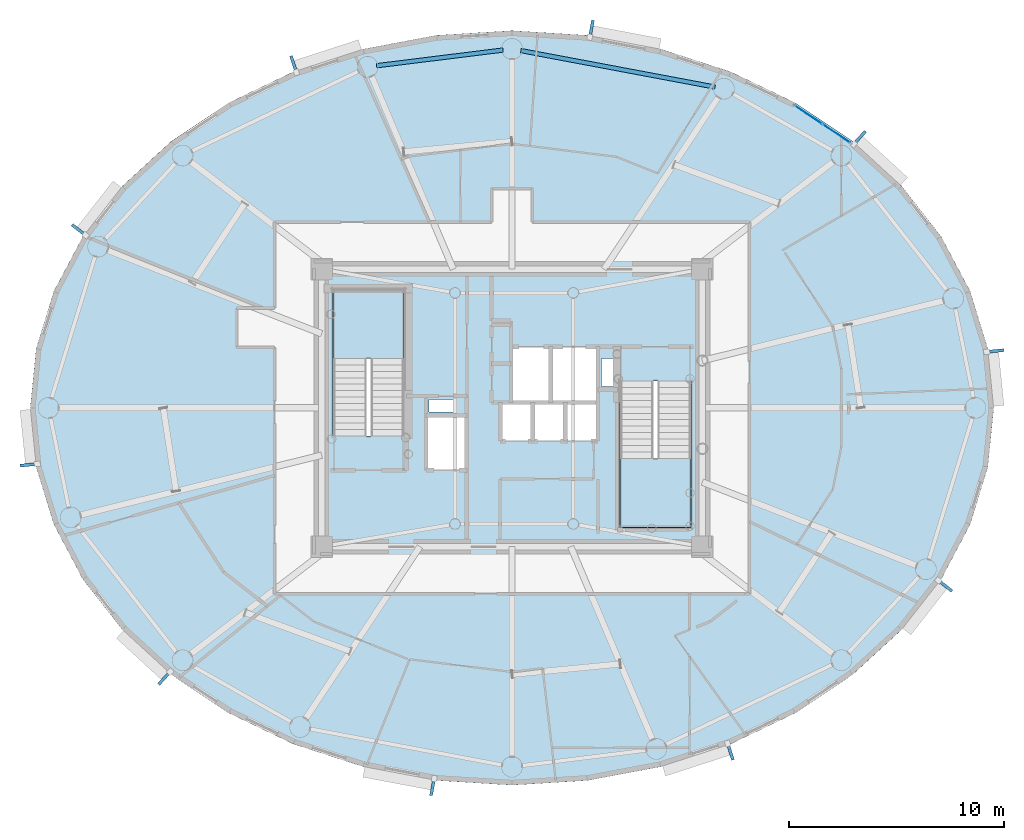
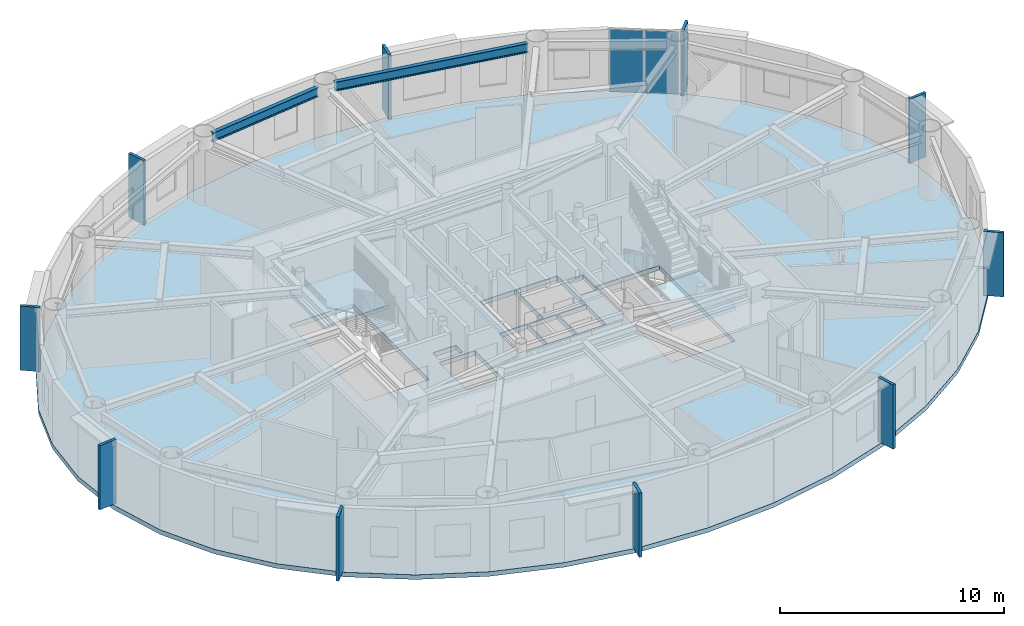
# One storey, part 4 of 16: 12 plates, 3 slabs, 2 beams, 3 elements without a shape of their own.
"""IFC4 building model written with IfcOpenShell, lengths in metres."""

from ifc_helpers import new_model, si_unit, direction, frame, origin, origin_2d, place, context, subcontext, project, spatial, polyline, rectangle, i_section, outline, extrude, source, transform, mapped, material, layer, layer_set, material_profile, profile_set, type_object, element, aggregate, save


model = new_model("IFC4")

# Units and contexts
model_context = context("Model", 3, precision=1e-05, world=origin(), true_north=direction((0.0, 1.0)))
body_context = subcontext(model_context, "Body", "Model", "MODEL_VIEW")
ifc_project = project(units=[si_unit("LENGTHUNIT", "METRE"), si_unit("AREAUNIT", "SQUARE_METRE"), si_unit("VOLUMEUNIT", "CUBIC_METRE"), si_unit("PLANEANGLEUNIT", "RADIAN"), si_unit("MASSUNIT", "GRAM", prefix="KILO")], contexts=[model_context])

# Site, building, storey
site_placement = place(None, origin())
site = spatial("IfcSite", under=ifc_project, at=site_placement, CompositionType="ELEMENT")
building_placement = place(site_placement, origin())
building = spatial("IfcBuilding", under=site, at=building_placement, Name="Linh Dai School and Residence Tower", CompositionType="ELEMENT")
storey_placement = place(building_placement, frame((0.0, 0.0, 306.75)))
storey = spatial("IfcBuildingStorey", under=building, at=storey_placement, Name="L76", CompositionType="ELEMENT", Elevation=306.75)

# Beams
ifc_material_1 = material(Name="Structural Steel S355JR", Category="steel")
ifc_material_profile = material_profile(ifc_material_1, i_section(OverallWidth=0.199951171875, OverallDepth=0.5, WebThickness=0.01025390625, FlangeThickness=0.01611328125, FilletRadius=0.02099609375, at=origin_2d()), Name="IPE 500")
ifc_profile_set = profile_set([ifc_material_profile], Name="Structural Steel S355JR")
beam_type = type_object("IfcBeamType", Name="BM-RB50", PredefinedType="BEAM", material=ifc_profile_set)
beam_1_placement = place(storey_placement, frame((45.441650390625, 41.916259765625, 3.25), z_axis=(-0.982805333306, 0.184644731378, 0.0), x_axis=(-0.184644731378, -0.982805333306, 0.0)))
element("IfcBeam", 1, at=beam_1_placement, inside=storey, type_object=beam_type, Name="L76 Perimeter Elliptical Ring Beam 04", PredefinedType="BEAM", context=body_context, shape_type="SweptSolid", body=[
    extrude(i_section(OverallWidth=0.199951171875, OverallDepth=0.5, WebThickness=0.01025390625, FlangeThickness=0.01611328125, FilletRadius=0.02099609375, at=origin_2d()), origin(), (0.0, 0.0, 1.0), 9.186767578125),
])
beam_2_placement = place(storey_placement, frame((35.583251953125, 43.638427734375, 3.25), z_axis=(-0.992399134443, -0.123060789678, 0.0), x_axis=(0.123060789678, -0.992399134443, 0.0)))
element("IfcBeam", 2, at=beam_2_placement, inside=storey, type_object=beam_type, Name="L76 Perimeter Elliptical Ring Beam 05", PredefinedType="BEAM", context=body_context, shape_type="SweptSolid", body=[
    extrude(i_section(OverallWidth=0.199951171875, OverallDepth=0.5, WebThickness=0.01025390625, FlangeThickness=0.01611328125, FilletRadius=0.02099609375, at=origin_2d()), origin(), (0.0, 0.0, 1.0), 5.923828125),
])

# Slab
ifc_material_2 = material(Name="Concrete B45 (C35/45)", Category="concrete")
ifc_layer_1 = layer(ifc_material_2, 0.25)
ifc_layer_set_1 = layer_set([ifc_layer_1], Name="Concrete B45 (C35/45)")
slab_type_1 = type_object("IfcSlabType", Name="SLB-FLR250", PredefinedType="FLOOR", material=ifc_layer_set_1)
slab_1_placement = place(storey_placement, frame((0.0, 0.0, -0.25)))
element("IfcSlab", 3, at=slab_1_placement, inside=storey, type_object=slab_type_1, Name="L76 Composite Structural Floor Slab", PredefinedType="FLOOR", context=body_context, shape_type="SweptSolid", body=[
    extrude(outline(polyline([(58.39990234375, 27.0), (58.124267578125, 29.743896484375), (57.3037109375, 32.420166015625), (55.95849609375, 34.962890625), (54.1220703125, 37.309814453125), (51.839111328125, 39.402587890625), (49.16650390625, 41.190185546875), (46.16943359375, 42.628173828125), (42.921875, 43.681640625), (39.504150390625, 44.323974609375), (36.0, 44.5400390625), (32.495849609375, 44.323974609375), (29.078125, 43.681640625), (25.83056640625, 42.628173828125), (22.83349609375, 41.190185546875), (20.160888671875, 39.402587890625), (17.8779296875, 37.309814453125), (16.04150390625, 34.962890625), (14.6962890625, 32.420166015625), (13.875732421875, 29.743896484375), (13.60009765625, 27.0), (13.875732421875, 24.256103515625), (14.6962890625, 21.579833984375), (16.04150390625, 19.037109375), (17.8779296875, 16.690185546875), (20.160888671875, 14.597412109375), (22.83349609375, 12.809814453125), (25.83056640625, 11.371826171875), (29.078125, 10.318359375), (32.495849609375, 9.676025390625), (36.0, 9.4599609375), (39.504150390625, 9.676025390625), (42.921875, 10.318359375), (46.16943359375, 11.371826171875), (49.16650390625, 12.809814453125), (51.839111328125, 14.597412109375), (54.1220703125, 16.690185546875), (55.95849609375, 19.037109375), (57.3037109375, 21.579833984375), (58.124267578125, 24.256103515625), (58.39990234375, 27.0)]), holes=[polyline([(30.97998046875, 25.699951171875), (30.97998046875, 32.5), (27.679931640625, 32.5), (27.679931640625, 25.699951171875), (30.97998046875, 25.699951171875)]), polyline([(41.02001953125, 28.25), (41.02001953125, 21.449951171875), (44.320068359375, 21.449951171875), (44.320068359375, 28.25), (41.02001953125, 28.25)]), polyline([(35.97998046875, 27.280029296875), (37.77001953125, 27.280029296875), (37.77001953125, 29.820068359375), (35.97998046875, 29.820068359375), (35.97998046875, 27.280029296875)]), polyline([(32.030029296875, 24.1298828125), (33.8701171875, 24.1298828125), (33.8701171875, 26.6201171875), (32.030029296875, 26.6201171875), (32.030029296875, 24.1298828125)]), polyline([(37.830078125, 27.280029296875), (39.969970703125, 27.280029296875), (39.969970703125, 29.820068359375), (37.830078125, 29.820068359375), (37.830078125, 27.280029296875)]), polyline([(35.47998046875, 25.47998046875), (36.929931640625, 25.47998046875), (36.929931640625, 27.219970703125), (35.47998046875, 27.219970703125), (35.47998046875, 25.47998046875)]), polyline([(36.989990234375, 25.47998046875), (38.449951171875, 25.47998046875), (38.449951171875, 27.219970703125), (36.989990234375, 27.219970703125), (36.989990234375, 25.47998046875)]), polyline([(38.510009765625, 25.47998046875), (39.969970703125, 25.47998046875), (39.969970703125, 27.219970703125), (38.510009765625, 27.219970703125), (38.510009765625, 25.47998046875)]), polyline([(40.14990234375, 28.0), (40.14990234375, 29.300048828125), (41.0, 29.300048828125), (41.0, 28.280029296875), (40.989990234375, 28.280029296875), (40.989990234375, 28.0), (40.14990234375, 28.0)]), polyline([(32.14990234375, 26.800048828125), (33.35009765625, 26.800048828125), (33.35009765625, 27.39990234375), (32.14990234375, 27.39990234375), (32.14990234375, 26.800048828125)])]), origin(), (0.0, 0.0, 1.0), 0.25),
])

# Stair, slab
stair_type = type_object("IfcStairType", Name="ST-DOG-1550-R1442", PredefinedType="HALF_TURN_STAIR", material=ifc_material_2)
stair_1_placement = place(storey_placement, origin())
stair_1 = element("IfcStair", 4, at=stair_1_placement, inside=storey, type_object=stair_type, Name="L76 Core Smokeproof Exit Stair ST1", PredefinedType="HALF_TURN_STAIR")
ifc_layer_2 = layer(ifc_material_2, 0.199951171875)
ifc_layer_set_2 = layer_set([ifc_layer_2], Name="Concrete B45 (C35/45)")
slab_type_2 = type_object("IfcSlabType", Name="SLB-ST-LANDING-200", PredefinedType="LANDING", material=ifc_layer_set_2)
slab_2_placement = place(storey_placement, frame((0.0, 0.0, 1.675048828125)))
slab_2 = element("IfcSlab", 5, at=slab_2_placement, type_object=slab_type_2, Name="ST1 landing 1", PredefinedType="LANDING", context=body_context, shape_type="SweptSolid", body=[
    extrude(outline(polyline([(30.97998046875, 29.300048828125), (30.97998046875, 32.5), (27.679931640625, 32.5), (27.679931640625, 29.300048828125), (30.97998046875, 29.300048828125)])), origin(), (0.0, 0.0, 1.0), 0.199951171875),
])
aggregate(stair_1, [slab_2])

stair_2_placement = place(storey_placement, origin())
stair_2 = element("IfcStair", 6, at=stair_2_placement, inside=storey, type_object=stair_type, Name="L76 Core Smokeproof Exit Stair ST2", PredefinedType="HALF_TURN_STAIR")
slab_3_placement = place(storey_placement, frame((0.0, 0.0, 1.675048828125)))
slab_3 = element("IfcSlab", 7, at=slab_3_placement, type_object=slab_type_2, Name="ST2 landing 1", PredefinedType="LANDING", context=body_context, shape_type="SweptSolid", body=[
    extrude(outline(polyline([(41.02001953125, 24.64990234375), (41.02001953125, 21.449951171875), (44.320068359375, 21.449951171875), (44.320068359375, 24.64990234375), (41.02001953125, 24.64990234375)])), origin(), (0.0, 0.0, 1.0), 0.199951171875),
])
aggregate(stair_2, [slab_3])

# Plates
ifc_material_3 = material(Name="Precast Concrete B45 (C35/45)", Category="concrete")
ifc_layer_3 = layer(ifc_material_3, 0.139892578125)
ifc_layer_set_3 = layer_set([ifc_layer_3], Name="Precast Concrete B45 (C35/45)")
plate_type_1 = type_object("IfcPlateType", Name="FIN-TC-900x140", PredefinedType="USERDEFINED", material=ifc_layer_set_3)
shared_shape_1 = source(origin(), body_context, "Body", "SweptSolid", [
    extrude(rectangle(XDim=0.89990234375, YDim=0.139892578125, at=origin_2d()), origin(), (0.0, 0.0, 1.0), 3.5),
])
for number, where, z_axis, x_axis, name in (
    (8, (58.421630859375, 29.640625, 0.0), (0.0, 0.0, 1.0), (0.994986629598, 0.100008034283, 0.0), "L76 Precast Terracotta Radial Fin 01"),
    (9, (52.127685546875, 39.525390625, 0.0), (0.0, 0.0, 1.0), (0.67577730889, 0.737105846394, 0.0), "L76 Precast Terracotta Radial Fin 05"),
    (10, (39.682373046875, 44.580810546875, 0.0), (0.0, 0.0, 1.0), (0.184751197452, 0.982785325002, 0.0), "L76 Precast Terracotta Radial Fin 09"),
    (11, (25.864501953125, 42.939208984375, 0.0), (0.0, 0.0, 1.0), (-0.308518805176, 0.951218243545, 0.0), "L76 Precast Terracotta Radial Fin 13"),
    (12, (15.897216796875, 35.241943359375, 0.0), (0.0, 0.0, 1.0), (-0.78750300393, 0.616310813471, 0.0), "L76 Precast Terracotta Radial Fin 17"),
    (13, (13.578369140625, 24.359375, 0.0), (0.0, 0.0, 1.0), (-0.994986629598, -0.100008034283, 0.0), "L76 Precast Terracotta Radial Fin 21"),
    (14, (19.872314453125, 14.474609375, 0.0), (0.0, 0.0, 1.0), (-0.675779074535, -0.737104227651, 0.0), "L76 Precast Terracotta Radial Fin 25"),
    (15, (32.317626953125, 9.419189453125, 0.0), (0.0, 0.0, 1.0), (-0.184751197452, -0.982785325002, 0.0), "L76 Precast Terracotta Radial Fin 29"),
    (16, (46.135498046875, 11.060791015625, 0.0), (0.0, 0.0, 1.0), (0.308518805176, -0.951218243545, 0.0), "L76 Precast Terracotta Radial Fin 33"),
    (17, (56.102783203125, 18.758056640625, 0.0), (0.0, 0.0, 1.0), (0.78750300393, -0.616310813471, 0.0), "L76 Precast Terracotta Radial Fin 37"),
):
    element("IfcPlate", number, at=place(storey_placement, frame(where, z_axis=z_axis, x_axis=x_axis)), inside=storey, type_object=plate_type_1, Name=name, ObjectType="RADIAL FIN", PredefinedType="USERDEFINED", context=body_context, shape_type="MappedRepresentation", body=[
        mapped(shared_shape_1, transform((0.0, 0.0, 0.0), x_axis=(1.0, 0.0, 0.0), y_axis=(0.0, 1.0, 0.0), z_axis=(0.0, 0.0, 1.0), scale=1.0)),
    ])

# Curtain wall, plates
ifc_material_4 = material(Name="Aluminium Anodised Curtain Wall", Category="aluminium")
ifc_layer_4 = layer(ifc_material_4, 0.14990234375)
ifc_layer_set_4 = layer_set([ifc_layer_4], Name="Aluminium Anodised Curtain Wall")
curtain_wall_type = type_object("IfcCurtainWallType", Name="CW-SYS-4", PredefinedType="USERDEFINED", material=ifc_layer_set_4)
curtain_wall_placement = place(storey_placement, origin())
curtain_wall = element("IfcCurtainWall", 18, at=curtain_wall_placement, inside=storey, type_object=curtain_wall_type, Name="L76 CW4 Curtain Wall 06", ObjectType="RIBBON CURTAIN WALL", PredefinedType="USERDEFINED")
ifc_material_5 = material(Name="Double Low-E Insulated Glazing", Category="glass")
ifc_layer_5 = layer(ifc_material_5, 0.02587890625)
ifc_layer_set_5 = layer_set([ifc_layer_5], Name="Double Low-E Insulated Glazing")
plate_type_2 = type_object("IfcPlateType", Name="CW-SYS-4-PAN", PredefinedType="CURTAIN_PANEL", material=ifc_layer_set_5)
shared_shape_2 = source(origin(), body_context, "Body", "SweptSolid", [
    extrude(rectangle(XDim=1.5205078125, YDim=0.02587890625, at=origin_2d()), origin(), (0.0, 0.0, 1.0), 3.39599609375),
])
plate_1_placement = place(storey_placement, frame((49.77978515625, 40.6298828125, 0.052001953125), z_axis=(0.0, 0.0, 1.0), x_axis=(0.831243873264, -0.555907926874, 0.0)))
plate_1 = element("IfcPlate", 19, at=plate_1_placement, type_object=plate_type_2, Name="CW4 panel 1.1", PredefinedType="CURTAIN_PANEL", context=body_context, shape_type="MappedRepresentation", body=[
    mapped(shared_shape_2, transform((0.0, 0.0, 0.0), x_axis=(1.0, 0.0, 0.0), y_axis=(0.0, 1.0, 0.0), z_axis=(0.0, 0.0, 1.0), scale=1.0)),
])
plate_2_placement = place(storey_placement, frame((51.0869140625, 39.755859375, 0.052001953125), z_axis=(0.0, 0.0, 1.0), x_axis=(0.831243873264, -0.555907926874, 0.0)))
plate_2 = element("IfcPlate", 20, at=plate_2_placement, type_object=plate_type_2, Name="CW4 panel 2.1", PredefinedType="CURTAIN_PANEL", context=body_context, shape_type="MappedRepresentation", body=[
    mapped(shared_shape_2, transform((0.0, 0.0, 0.0), x_axis=(1.0, 0.0, 0.0), y_axis=(0.0, 1.0, 0.0), z_axis=(0.0, 0.0, 1.0), scale=1.0)),
])
aggregate(curtain_wall, [plate_1, plate_2])

save(model, "model.ifc")
